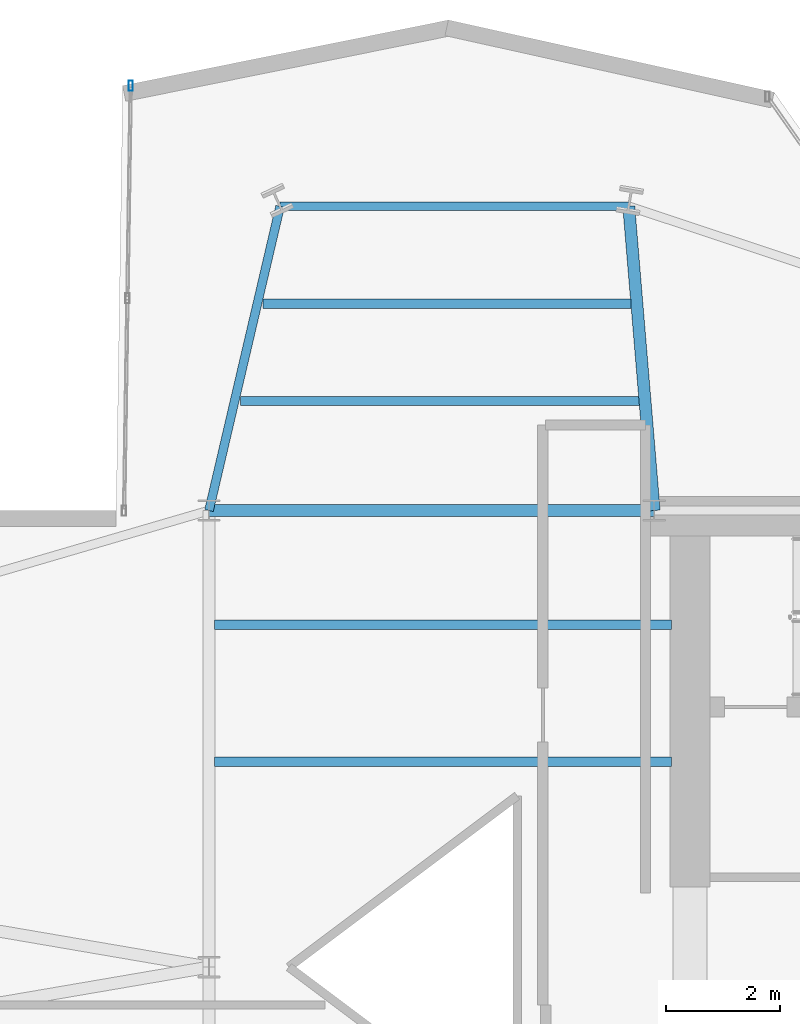
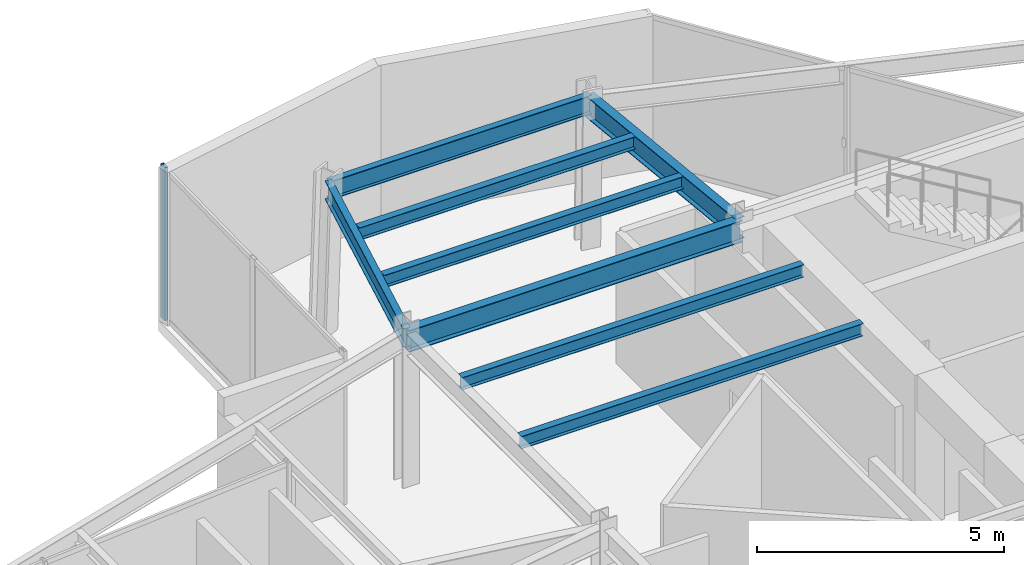
# One storey, part 12 of 23: 8 beams, 1 member, 1 element without a shape of its own.
"""IFC4 building model written with IfcOpenShell, lengths in metres."""

from ifc_helpers import new_model, si_unit, direction, frame, origin, origin_2d, place, context, subcontext, project, spatial, hollow_rectangle, i_section, extrude, material, layer, layer_set, material_profile, profile_set, type_object, element, aggregate, save


model = new_model("IFC4")

# Units and contexts
model_context = context("Model", 3, precision=1e-05, world=origin(), true_north=direction((0.0, 1.0)))
body_context = subcontext(model_context, "Body", "Model", "MODEL_VIEW")
ifc_project = project(units=[si_unit("LENGTHUNIT", "METRE"), si_unit("AREAUNIT", "SQUARE_METRE"), si_unit("VOLUMEUNIT", "CUBIC_METRE"), si_unit("PLANEANGLEUNIT", "RADIAN"), si_unit("MASSUNIT", "GRAM", prefix="KILO")], contexts=[model_context])

# Site, building, storey
site_placement = place(None, origin())
site = spatial("IfcSite", under=ifc_project, at=site_placement, CompositionType="ELEMENT")
building_placement = place(site_placement, origin())
building = spatial("IfcBuilding", under=site, at=building_placement, Name="Veymaron Broadcast Tower", CompositionType="ELEMENT")
storey_placement = place(building_placement, frame((0.0, 0.0, 224.25)))
storey = spatial("IfcBuildingStorey", under=building, at=storey_placement, Name="L52", CompositionType="ELEMENT", Elevation=224.25)

# Beams
ifc_material_1 = material(Name="Structural steel ASTM A992 Gr 50", Category="steel")
ifc_material_profile_1 = material_profile(ifc_material_1, i_section(OverallWidth=0.2099609375, OverallDepth=0.537109375, WebThickness=0.010986328125, FlangeThickness=0.017333984375, at=origin_2d()), Name="W530X101")
ifc_profile_set_1 = profile_set([ifc_material_profile_1], Name="Structural steel ASTM A992 Gr 50")
beam_type_1 = type_object("IfcBeamType", Name="BM-FG3", PredefinedType="BEAM", material=ifc_profile_set_1)
beam_1_placement = place(storey_placement, frame((31.199951171875, 32.0, 3.521484375), z_axis=(1.0, 0.0, 0.0), x_axis=(0.0, 1.0, 0.0)))
element("IfcBeam", 1, at=beam_1_placement, inside=storey, type_object=beam_type_1, Name="L52 primary structural floor girder", PredefinedType="BEAM", context=body_context, shape_type="SweptSolid", body=[
    extrude(i_section(OverallWidth=0.2099609375, OverallDepth=0.537109375, WebThickness=0.010986328125, FlangeThickness=0.017333984375, at=origin_2d()), origin(), (0.0, 0.0, 1.0), 7.800048828125),
])
beam_2_placement = place(storey_placement, frame((39.0, 32.0, 3.521484375), z_axis=(-0.083211691167, 0.996531893345, 0.0), x_axis=(-0.996531893345, -0.083211691167, 0.0)))
element("IfcBeam", 2, at=beam_2_placement, inside=storey, type_object=beam_type_1, Name="L52 primary structural floor girder", PredefinedType="BEAM", context=body_context, shape_type="SweptSolid", body=[
    extrude(i_section(OverallWidth=0.2099609375, OverallDepth=0.537109375, WebThickness=0.010986328125, FlangeThickness=0.017333984375, at=origin_2d()), origin(), (0.0, 0.0, 1.0), 5.3486328125),
])
ifc_material_profile_2 = material_profile(ifc_material_1, i_section(OverallWidth=0.1650390625, OverallDepth=0.31005859375, WebThickness=0.005859375, FlangeThickness=0.009765625, at=origin_2d()), Name="W310X39")
ifc_profile_set_2 = profile_set([ifc_material_profile_2], Name="Structural steel ASTM A992 Gr 50")
beam_type_2 = type_object("IfcBeamType", Name="BM-JS3", PredefinedType="JOIST", material=ifc_profile_set_2)
beam_3_placement = place(storey_placement, frame((31.74853515625, 33.918701171875, 3.635009765625), z_axis=(1.0, 0.0, 0.0), x_axis=(0.0, 1.0, 0.0)))
element("IfcBeam", 3, at=beam_3_placement, inside=storey, type_object=beam_type_2, Name="L52 Arm-B secondary joist 1", PredefinedType="JOIST", context=body_context, shape_type="SweptSolid", body=[
    extrude(i_section(OverallWidth=0.1650390625, OverallDepth=0.31005859375, WebThickness=0.005859375, FlangeThickness=0.009765625, at=origin_2d()), origin(), (0.0, 0.0, 1.0), 6.9912109375),
])
beam_4_placement = place(storey_placement, frame((32.147216796875, 35.62451171875, 3.635009765625), z_axis=(1.0, 0.0, 0.0), x_axis=(0.0, 1.0, 0.0)))
element("IfcBeam", 4, at=beam_4_placement, inside=storey, type_object=beam_type_2, Name="L52 Arm-B secondary joist 2", PredefinedType="JOIST", context=body_context, shape_type="SweptSolid", body=[
    extrude(i_section(OverallWidth=0.1650390625, OverallDepth=0.31005859375, WebThickness=0.005859375, FlangeThickness=0.009765625, at=origin_2d()), origin(), (0.0, 0.0, 1.0), 6.4501953125),
])
for number, where, z_axis, x_axis, name in (
    (5, (31.300048828125, 27.60009765625, 3.635009765625), (1.0, 0.0, 0.0), (0.0, 1.0, 0.0), "L52 Hub secondary joist 3"),
    (6, (31.300048828125, 30.0, 3.635009765625), (1.0, 0.0, 0.0), (0.0, 1.0, 0.0), "L52 Hub secondary joist 4"),
):
    element("IfcBeam", number, at=place(storey_placement, frame(where, z_axis=z_axis, x_axis=x_axis)), inside=storey, type_object=beam_type_2, Name=name, PredefinedType="JOIST", context=body_context, shape_type="SweptSolid", body=[
        extrude(i_section(OverallWidth=0.1650390625, OverallDepth=0.31005859375, WebThickness=0.005859375, FlangeThickness=0.009765625, at=origin_2d()), origin(), (0.0, 0.0, 1.0), 8.0),
    ])
ifc_material_profile_3 = material_profile(ifc_material_1, i_section(OverallWidth=0.154052734375, OverallDepth=0.458984375, WebThickness=0.009033203125, FlangeThickness=0.015380859375, at=origin_2d()), Name="W460X68")
ifc_profile_set_3 = profile_set([ifc_material_profile_3], Name="Structural steel ASTM A992 Gr 50")
beam_type_3 = type_object("IfcBeamType", Name="BM-SP2", PredefinedType="SPANDREL", material=ifc_profile_set_3)
beam_5_placement = place(storey_placement, frame((31.199951171875, 32.0, 3.560546875), z_axis=(0.227646942329, 0.973743739209, 0.0), x_axis=(-0.973743739209, 0.227646942329, 0.0)))
element("IfcBeam", 7, at=beam_5_placement, inside=storey, type_object=beam_type_3, Name="L52 primary structural floor girder", PredefinedType="SPANDREL", context=body_context, shape_type="SweptSolid", body=[
    extrude(i_section(OverallWidth=0.154052734375, OverallDepth=0.458984375, WebThickness=0.009033203125, FlangeThickness=0.015380859375, at=origin_2d()), origin(), (0.0, 0.0, 1.0), 5.473876953125),
])
beam_6_placement = place(storey_placement, frame((32.446044921875, 37.330078125, 3.560546875), z_axis=(1.0, 0.0, 0.0), x_axis=(0.0, 1.0, 0.0)))
element("IfcBeam", 8, at=beam_6_placement, inside=storey, type_object=beam_type_3, Name="L52 primary structural floor girder", PredefinedType="SPANDREL", context=body_context, shape_type="SweptSolid", body=[
    extrude(i_section(OverallWidth=0.154052734375, OverallDepth=0.458984375, WebThickness=0.009033203125, FlangeThickness=0.015380859375, at=origin_2d()), origin(), (0.0, 0.0, 1.0), 6.10888671875),
])

# Curtain wall, member
ifc_material_2 = material(Name="Anodised aluminium AA 6063-T6 and laminated low-E dark glass", Category="aluminium")
ifc_layer = layer(ifc_material_2, 0.179931640625)
ifc_layer_set = layer_set([ifc_layer], Name="Anodised aluminium AA 6063-T6 and laminated low-E dark glass")
curtain_wall_type = type_object("IfcCurtainWallType", Name="CW-SYS-05", PredefinedType="NOTDEFINED", material=ifc_layer_set)
curtain_wall_placement = place(storey_placement, origin())
curtain_wall = element("IfcCurtainWall", 9, at=curtain_wall_placement, inside=storey, type_object=curtain_wall_type, Name="L52 dark-glass curtain wall CW-L52-E8-1", PredefinedType="NOTDEFINED")
ifc_material_3 = material(Name="Anodised aluminium AA 6063-T6", Category="aluminium")
ifc_material_profile_4 = material_profile(ifc_material_3, hollow_rectangle(XDim=0.074951171875, YDim=0.179931640625, WallThickness=0.0048828125, at=origin_2d()), Name="AL180X75X5")
ifc_profile_set_4 = profile_set([ifc_material_profile_4], Name="Anodised aluminium AA 6063-T6")
member_type = type_object("IfcMemberType", Name="CW-MUL-02", PredefinedType="MULLION", material=ifc_profile_set_4)
member_placement = place(storey_placement, frame((29.82763671875, 39.44287109375, 0.0), z_axis=(0.0, 0.0, 1.0), x_axis=(1.0, 0.0, 0.0)))
member = element("IfcMember", 10, at=member_placement, type_object=member_type, Name="CW-L52-E8-1 mullion 0", PredefinedType="MULLION", context=body_context, shape_type="SweptSolid", body=[
    extrude(hollow_rectangle(XDim=0.074951171875, YDim=0.179931640625, WallThickness=0.0048828125, at=origin_2d()), origin(), (0.0, 0.0, 1.0), 3.7900390625),
])
aggregate(curtain_wall, [member])

save(model, "model.ifc")
